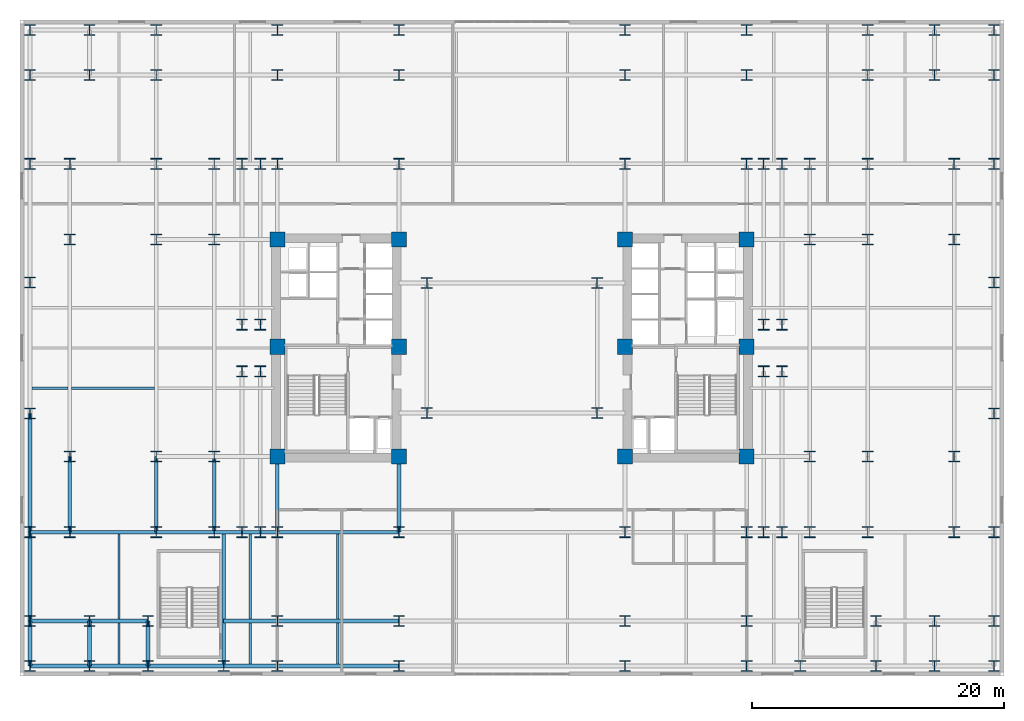
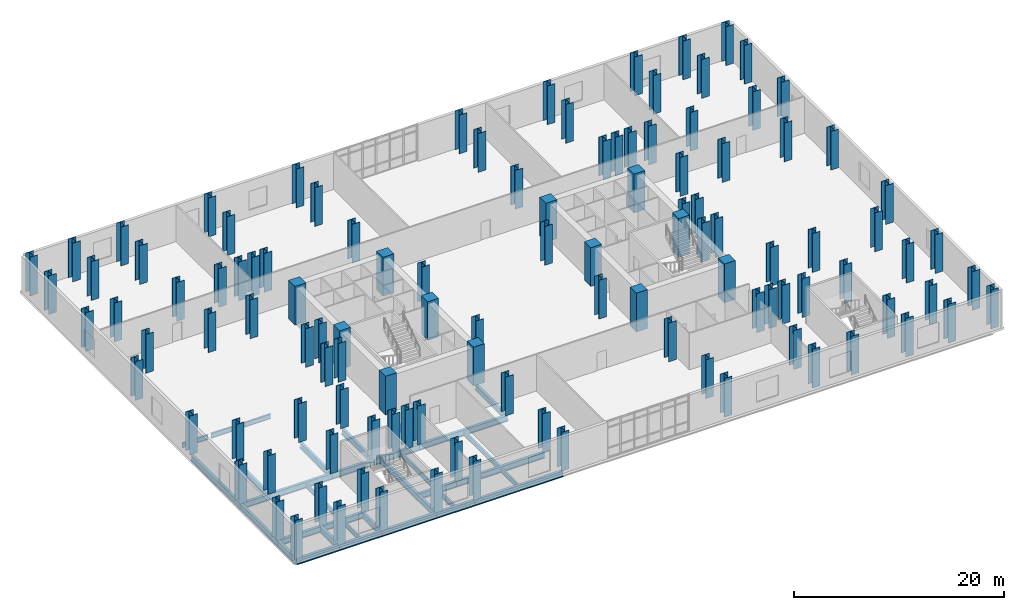
# One storey, part 1 of 13: 114 columns, 33 beams.
"""IFC4 building model written with IfcOpenShell, lengths in metres."""

from ifc_helpers import new_model, si_unit, direction, frame, origin, origin_2d, place, context, subcontext, project, spatial, rectangle, i_section, extrude, material, material_profile, profile_set, type_object, element, save


model = new_model("IFC4")

# Units and contexts
model_context = context("Model", 3, precision=1e-05, world=origin(), true_north=direction((0.0, 1.0)))
body_context = subcontext(model_context, "Body", "Model", "MODEL_VIEW")
ifc_project = project(units=[si_unit("LENGTHUNIT", "METRE"), si_unit("AREAUNIT", "SQUARE_METRE"), si_unit("VOLUMEUNIT", "CUBIC_METRE"), si_unit("PLANEANGLEUNIT", "RADIAN"), si_unit("MASSUNIT", "GRAM", prefix="KILO")], contexts=[model_context])

# Site, building, storey
site_placement = place(None, origin())
site = spatial("IfcSite", under=ifc_project, at=site_placement, CompositionType="ELEMENT")
building_placement = place(site_placement, origin())
building = spatial("IfcBuilding", under=site, at=building_placement, Name="Velakula Bourse", CompositionType="ELEMENT")
storey_placement = place(building_placement, frame((0.0, 0.0, 9.60009765625)))
storey = spatial("IfcBuildingStorey", under=building, at=storey_placement, Name="L02", CompositionType="ELEMENT", Elevation=9.60009765625)

# Columns
ifc_material_1 = material(Name="Concrete M70 (fck 70 MPa)", Category="concrete")
ifc_material_profile_1 = material_profile(ifc_material_1, rectangle(XDim=1.199951171875, YDim=1.199951171875, at=origin_2d()), Name="Concrete M70 (fck 70 MPa)")
ifc_profile_set_1 = profile_set([ifc_material_profile_1], Name="Concrete M70 (fck 70 MPa)")
column_type_1 = type_object("IfcColumnType", Name="COL-RC-1200", PredefinedType="COLUMN", material=ifc_profile_set_1)
for number, where, z_axis, x_axis, name in (
    (1, (-8.949951171875, -8.60009765625, 0.0), (0.0, 0.0, 1.0), (1.0, 0.0, 0.0), "L02 Core Boundary Column 01"),
    (2, (-8.949951171875, 0.10009765625, 0.0), (0.0, 0.0, 1.0), (1.0, 0.0, 0.0), "L02 Core Boundary Column 02"),
    (3, (-8.949951171875, 8.60009765625, 0.0), (0.0, 0.0, 1.0), (1.0, 0.0, 0.0), "L02 Core Boundary Column 03"),
    (4, (-18.60009765625, -8.60009765625, 0.0), (0.0, 0.0, 1.0), (1.0, 0.0, 0.0), "L02 Core Boundary Column 04"),
    (5, (-18.60009765625, 0.10009765625, 0.0), (0.0, 0.0, 1.0), (1.0, 0.0, 0.0), "L02 Core Boundary Column 05"),
    (6, (-18.60009765625, 8.60009765625, 0.0), (0.0, 0.0, 1.0), (1.0, 0.0, 0.0), "L02 Core Boundary Column 06"),
    (7, (8.949951171875, -8.60009765625, 0.0), (0.0, 0.0, 1.0), (1.0, 0.0, 0.0), "L02 Core Boundary Column 07"),
    (8, (8.949951171875, 0.10009765625, 0.0), (0.0, 0.0, 1.0), (1.0, 0.0, 0.0), "L02 Core Boundary Column 08"),
    (9, (8.949951171875, 8.60009765625, 0.0), (0.0, 0.0, 1.0), (1.0, 0.0, 0.0), "L02 Core Boundary Column 09"),
    (10, (18.60009765625, -8.60009765625, 0.0), (0.0, 0.0, 1.0), (1.0, 0.0, 0.0), "L02 Core Boundary Column 10"),
    (11, (18.60009765625, 0.10009765625, 0.0), (0.0, 0.0, 1.0), (1.0, 0.0, 0.0), "L02 Core Boundary Column 11"),
    (12, (18.60009765625, 8.60009765625, 0.0), (0.0, 0.0, 1.0), (1.0, 0.0, 0.0), "L02 Core Boundary Column 12"),
):
    element("IfcColumn", number, at=place(storey_placement, frame(where, z_axis=z_axis, x_axis=x_axis)), inside=storey, type_object=column_type_1, Name=name, PredefinedType="COLUMN", context=body_context, shape_type="SweptSolid", body=[
        extrude(rectangle(XDim=1.199951171875, YDim=1.199951171875, at=origin_2d()), origin(), (0.0, 0.0, 1.0), 4.5),
    ])
ifc_material_2 = material(Name="Steel IS 2062 Grade 450 (E450)", Category="steel")
ifc_material_profile_2 = material_profile(ifc_material_2, i_section(OverallWidth=0.85009765625, OverallDepth=0.85009765625, WebThickness=0.031982421875, FlangeThickness=0.048095703125, at=origin_2d()), Name="Steel IS 2062 Grade 450 (E450)")
ifc_profile_set_2 = profile_set([ifc_material_profile_2], Name="Steel IS 2062 Grade 450 (E450)")
column_type_2 = type_object("IfcColumnType", Name="COL-STL-850", PredefinedType="COLUMN", material=ifc_profile_set_2)
for number, where, z_axis, x_axis, name in (
    (13, (-6.75, -5.14990234375, 0.0), (0.0, 0.0, 1.0), (1.0, 0.0, 0.0), "L02 Central Spine Column 01"),
    (14, (-6.75, 5.14990234375, 0.0), (0.0, 0.0, 1.0), (1.0, 0.0, 0.0), "L02 Central Spine Column 02"),
    (15, (6.75, -5.14990234375, 0.0), (0.0, 0.0, 1.0), (1.0, 0.0, 0.0), "L02 Central Spine Column 03"),
    (16, (6.75, 5.14990234375, 0.0), (0.0, 0.0, 1.0), (1.0, 0.0, 0.0), "L02 Central Spine Column 04"),
    (17, (-21.39990234375, -14.60009765625, 0.0), (0.0, 0.0, 1.0), (1.0, 0.0, 0.0), "L02 Tower Fulcrum Column 01"),
    (18, (-21.39990234375, 14.60009765625, 0.0), (0.0, 0.0, 1.0), (1.0, 0.0, 0.0), "L02 Tower Fulcrum Column 02"),
    (19, (-19.949951171875, -14.60009765625, 0.0), (0.0, 0.0, 1.0), (1.0, 0.0, 0.0), "L02 Tower Fulcrum Column 03"),
    (20, (-19.949951171875, 14.60009765625, 0.0), (0.0, 0.0, 1.0), (1.0, 0.0, 0.0), "L02 Tower Fulcrum Column 04"),
    (21, (-18.60009765625, -14.60009765625, 0.0), (0.0, 0.0, 1.0), (1.0, 0.0, 0.0), "L02 Tower Fulcrum Column 05"),
    (22, (-18.60009765625, 14.60009765625, 0.0), (0.0, 0.0, 1.0), (1.0, 0.0, 0.0), "L02 Tower Fulcrum Column 06"),
    (23, (-8.949951171875, -14.60009765625, 0.0), (0.0, 0.0, 1.0), (1.0, 0.0, 0.0), "L02 Tower Fulcrum Column 07"),
    (24, (-8.949951171875, 14.60009765625, 0.0), (0.0, 0.0, 1.0), (1.0, 0.0, 0.0), "L02 Tower Fulcrum Column 08"),
    (25, (8.949951171875, -14.60009765625, 0.0), (0.0, 0.0, 1.0), (1.0, 0.0, 0.0), "L02 Tower Fulcrum Column 09"),
    (26, (8.949951171875, 14.60009765625, 0.0), (0.0, 0.0, 1.0), (1.0, 0.0, 0.0), "L02 Tower Fulcrum Column 10"),
    (27, (18.60009765625, -14.60009765625, 0.0), (0.0, 0.0, 1.0), (1.0, 0.0, 0.0), "L02 Tower Fulcrum Column 11"),
    (28, (18.60009765625, 14.60009765625, 0.0), (0.0, 0.0, 1.0), (1.0, 0.0, 0.0), "L02 Tower Fulcrum Column 12"),
    (29, (19.949951171875, -14.60009765625, 0.0), (0.0, 0.0, 1.0), (1.0, 0.0, 0.0), "L02 Tower Fulcrum Column 13"),
    (30, (19.949951171875, 14.60009765625, 0.0), (0.0, 0.0, 1.0), (1.0, 0.0, 0.0), "L02 Tower Fulcrum Column 14"),
    (31, (21.39990234375, -14.60009765625, 0.0), (0.0, 0.0, 1.0), (1.0, 0.0, 0.0), "L02 Tower Fulcrum Column 15"),
    (32, (21.39990234375, 14.60009765625, 0.0), (0.0, 0.0, 1.0), (1.0, 0.0, 0.0), "L02 Tower Fulcrum Column 16"),
    (33, (-21.39990234375, -1.85009765625, 0.0), (0.0, 0.0, 1.0), (1.0, 0.0, 0.0), "L02 Tower Fulcrum Column 17"),
    (34, (-21.39990234375, 1.85009765625, 0.0), (0.0, 0.0, 1.0), (1.0, 0.0, 0.0), "L02 Tower Fulcrum Column 18"),
    (35, (-19.949951171875, -1.85009765625, 0.0), (0.0, 0.0, 1.0), (1.0, 0.0, 0.0), "L02 Tower Fulcrum Column 19"),
    (36, (-19.949951171875, 1.85009765625, 0.0), (0.0, 0.0, 1.0), (1.0, 0.0, 0.0), "L02 Tower Fulcrum Column 20"),
    (37, (19.949951171875, -1.85009765625, 0.0), (0.0, 0.0, 1.0), (1.0, 0.0, 0.0), "L02 Tower Fulcrum Column 21"),
    (38, (19.949951171875, 1.85009765625, 0.0), (0.0, 0.0, 1.0), (1.0, 0.0, 0.0), "L02 Tower Fulcrum Column 22"),
    (39, (21.39990234375, -1.85009765625, 0.0), (0.0, 0.0, 1.0), (1.0, 0.0, 0.0), "L02 Tower Fulcrum Column 23"),
    (40, (21.39990234375, 1.85009765625, 0.0), (0.0, 0.0, 1.0), (1.0, 0.0, 0.0), "L02 Tower Fulcrum Column 24"),
    (41, (-23.60009765625, -14.60009765625, 0.0), (0.0, 0.0, 1.0), (1.0, 0.0, 0.0), "L02 Mid-Wing Plumb Column 01"),
    (42, (-23.60009765625, -8.60009765625, 0.0), (0.0, 0.0, 1.0), (1.0, 0.0, 0.0), "L02 Mid-Wing Plumb Column 02"),
    (43, (-23.60009765625, 8.60009765625, 0.0), (0.0, 0.0, 1.0), (1.0, 0.0, 0.0), "L02 Mid-Wing Plumb Column 03"),
    (44, (-23.60009765625, 14.60009765625, 0.0), (0.0, 0.0, 1.0), (1.0, 0.0, 0.0), "L02 Mid-Wing Plumb Column 04"),
    (45, (23.60009765625, -14.60009765625, 0.0), (0.0, 0.0, 1.0), (1.0, 0.0, 0.0), "L02 Mid-Wing Plumb Column 05"),
    (46, (23.60009765625, -8.60009765625, 0.0), (0.0, 0.0, 1.0), (1.0, 0.0, 0.0), "L02 Mid-Wing Plumb Column 06"),
    (47, (23.60009765625, 8.60009765625, 0.0), (0.0, 0.0, 1.0), (1.0, 0.0, 0.0), "L02 Mid-Wing Plumb Column 07"),
    (48, (23.60009765625, 14.60009765625, 0.0), (0.0, 0.0, 1.0), (1.0, 0.0, 0.0), "L02 Mid-Wing Plumb Column 08"),
    (49, (-28.199951171875, -14.60009765625, 0.0), (0.0, 0.0, 1.0), (1.0, 0.0, 0.0), "L02 Lower Wing Column 01"),
    (50, (-28.199951171875, -8.60009765625, 0.0), (0.0, 0.0, 1.0), (1.0, 0.0, 0.0), "L02 Lower Wing Column 02"),
    (51, (-28.199951171875, 8.60009765625, 0.0), (0.0, 0.0, 1.0), (1.0, 0.0, 0.0), "L02 Lower Wing Column 03"),
    (52, (-28.199951171875, 14.60009765625, 0.0), (0.0, 0.0, 1.0), (1.0, 0.0, 0.0), "L02 Lower Wing Column 04"),
    (53, (28.199951171875, -14.60009765625, 0.0), (0.0, 0.0, 1.0), (1.0, 0.0, 0.0), "L02 Lower Wing Column 05"),
    (54, (28.199951171875, -8.60009765625, 0.0), (0.0, 0.0, 1.0), (1.0, 0.0, 0.0), "L02 Lower Wing Column 06"),
    (55, (28.199951171875, 8.60009765625, 0.0), (0.0, 0.0, 1.0), (1.0, 0.0, 0.0), "L02 Lower Wing Column 07"),
    (56, (28.199951171875, 14.60009765625, 0.0), (0.0, 0.0, 1.0), (1.0, 0.0, 0.0), "L02 Lower Wing Column 08"),
    (57, (-35.050048828125, -14.60009765625, 0.0), (0.0, 0.0, 1.0), (1.0, 0.0, 0.0), "L02 Station Podium Grid Column 01"),
    (58, (-35.050048828125, -8.60009765625, 0.0), (0.0, 0.0, 1.0), (1.0, 0.0, 0.0), "L02 Station Podium Grid Column 02"),
    (59, (-35.050048828125, 8.60009765625, 0.0), (0.0, 0.0, 1.0), (1.0, 0.0, 0.0), "L02 Station Podium Grid Column 03"),
    (60, (-35.050048828125, 14.60009765625, 0.0), (0.0, 0.0, 1.0), (1.0, 0.0, 0.0), "L02 Station Podium Grid Column 04"),
    (61, (35.050048828125, -14.60009765625, 0.0), (0.0, 0.0, 1.0), (1.0, 0.0, 0.0), "L02 Station Podium Grid Column 05"),
    (62, (35.050048828125, -8.60009765625, 0.0), (0.0, 0.0, 1.0), (1.0, 0.0, 0.0), "L02 Station Podium Grid Column 06"),
    (63, (35.050048828125, 8.60009765625, 0.0), (0.0, 0.0, 1.0), (1.0, 0.0, 0.0), "L02 Station Podium Grid Column 07"),
    (64, (35.050048828125, 14.60009765625, 0.0), (0.0, 0.0, 1.0), (1.0, 0.0, 0.0), "L02 Station Podium Grid Column 08"),
    (65, (-38.199951171875, -21.64990234375, 0.0), (0.0, 0.0, 1.0), (1.0, 0.0, 0.0), "L02 Station Podium Grid Column 09"),
    (66, (-38.199951171875, 21.64990234375, 0.0), (0.0, 0.0, 1.0), (1.0, 0.0, 0.0), "L02 Station Podium Grid Column 10"),
    (67, (-33.5, -21.64990234375, 0.0), (0.0, 0.0, 1.0), (1.0, 0.0, 0.0), "L02 Station Podium Grid Column 11"),
    (68, (-33.5, 21.64990234375, 0.0), (0.0, 0.0, 1.0), (1.0, 0.0, 0.0), "L02 Station Podium Grid Column 12"),
    (69, (-28.85009765625, -21.64990234375, 0.0), (0.0, 0.0, 1.0), (1.0, 0.0, 0.0), "L02 Station Podium Grid Column 13"),
    (70, (-28.199951171875, 21.64990234375, 0.0), (0.0, 0.0, 1.0), (1.0, 0.0, 0.0), "L02 Station Podium Grid Column 14"),
    (71, (-18.60009765625, -21.64990234375, 0.0), (0.0, 0.0, 1.0), (1.0, 0.0, 0.0), "L02 Station Podium Grid Column 15"),
    (72, (-18.60009765625, 21.64990234375, 0.0), (0.0, 0.0, 1.0), (1.0, 0.0, 0.0), "L02 Station Podium Grid Column 16"),
    (73, (-8.949951171875, -21.64990234375, 0.0), (0.0, 0.0, 1.0), (1.0, 0.0, 0.0), "L02 Station Podium Grid Column 17"),
    (74, (-8.949951171875, 21.64990234375, 0.0), (0.0, 0.0, 1.0), (1.0, 0.0, 0.0), "L02 Station Podium Grid Column 18"),
    (75, (8.949951171875, -21.64990234375, 0.0), (0.0, 0.0, 1.0), (1.0, 0.0, 0.0), "L02 Station Podium Grid Column 19"),
    (76, (8.949951171875, 21.64990234375, 0.0), (0.0, 0.0, 1.0), (1.0, 0.0, 0.0), "L02 Station Podium Grid Column 20"),
    (77, (18.60009765625, -21.64990234375, 0.0), (0.0, 0.0, 1.0), (1.0, 0.0, 0.0), "L02 Station Podium Grid Column 21"),
    (78, (18.60009765625, 21.64990234375, 0.0), (0.0, 0.0, 1.0), (1.0, 0.0, 0.0), "L02 Station Podium Grid Column 22"),
    (79, (28.85009765625, -21.64990234375, 0.0), (0.0, 0.0, 1.0), (1.0, 0.0, 0.0), "L02 Station Podium Grid Column 23"),
    (80, (28.199951171875, 21.64990234375, 0.0), (0.0, 0.0, 1.0), (1.0, 0.0, 0.0), "L02 Station Podium Grid Column 24"),
    (81, (33.5, -21.64990234375, 0.0), (0.0, 0.0, 1.0), (1.0, 0.0, 0.0), "L02 Station Podium Grid Column 25"),
    (82, (33.5, 21.64990234375, 0.0), (0.0, 0.0, 1.0), (1.0, 0.0, 0.0), "L02 Station Podium Grid Column 26"),
    (83, (38.199951171875, -21.64990234375, 0.0), (0.0, 0.0, 1.0), (1.0, 0.0, 0.0), "L02 Station Podium Grid Column 27"),
    (84, (38.199951171875, 21.64990234375, 0.0), (0.0, 0.0, 1.0), (1.0, 0.0, 0.0), "L02 Station Podium Grid Column 28"),
    (85, (-38.199951171875, -25.199951171875, 0.0), (0.0, 0.0, 1.0), (1.0, 0.0, 0.0), "L02 Station Podium Grid Column 29"),
    (86, (-38.199951171875, 25.199951171875, 0.0), (0.0, 0.0, 1.0), (1.0, 0.0, 0.0), "L02 Station Podium Grid Column 30"),
    (87, (-33.5, -25.199951171875, 0.0), (0.0, 0.0, 1.0), (1.0, 0.0, 0.0), "L02 Station Podium Grid Column 31"),
    (88, (-33.5, 25.199951171875, 0.0), (0.0, 0.0, 1.0), (1.0, 0.0, 0.0), "L02 Station Podium Grid Column 32"),
    (89, (-28.85009765625, -25.199951171875, 0.0), (0.0, 0.0, 1.0), (1.0, 0.0, 0.0), "L02 Station Podium Grid Column 33"),
    (90, (-28.199951171875, 25.199951171875, 0.0), (0.0, 0.0, 1.0), (1.0, 0.0, 0.0), "L02 Station Podium Grid Column 34"),
    (91, (-22.85009765625, -25.199951171875, 0.0), (0.0, 0.0, 1.0), (1.0, 0.0, 0.0), "L02 Station Podium Grid Column 35"),
    (92, (22.85009765625, -25.199951171875, 0.0), (0.0, 0.0, 1.0), (1.0, 0.0, 0.0), "L02 Station Podium Grid Column 36"),
    (93, (-18.60009765625, -25.199951171875, 0.0), (0.0, 0.0, 1.0), (1.0, 0.0, 0.0), "L02 Station Podium Grid Column 39"),
    (94, (-18.60009765625, 25.199951171875, 0.0), (0.0, 0.0, 1.0), (1.0, 0.0, 0.0), "L02 Station Podium Grid Column 40"),
    (95, (-8.949951171875, -25.199951171875, 0.0), (0.0, 0.0, 1.0), (1.0, 0.0, 0.0), "L02 Station Podium Grid Column 41"),
    (96, (-8.949951171875, 25.199951171875, 0.0), (0.0, 0.0, 1.0), (1.0, 0.0, 0.0), "L02 Station Podium Grid Column 42"),
    (97, (8.949951171875, -25.199951171875, 0.0), (0.0, 0.0, 1.0), (1.0, 0.0, 0.0), "L02 Station Podium Grid Column 43"),
    (98, (8.949951171875, 25.199951171875, 0.0), (0.0, 0.0, 1.0), (1.0, 0.0, 0.0), "L02 Station Podium Grid Column 44"),
    (99, (18.60009765625, -25.199951171875, 0.0), (0.0, 0.0, 1.0), (1.0, 0.0, 0.0), "L02 Station Podium Grid Column 45"),
    (100, (18.60009765625, 25.199951171875, 0.0), (0.0, 0.0, 1.0), (1.0, 0.0, 0.0), "L02 Station Podium Grid Column 46"),
    (101, (28.85009765625, -25.199951171875, 0.0), (0.0, 0.0, 1.0), (1.0, 0.0, 0.0), "L02 Station Podium Grid Column 47"),
    (102, (28.199951171875, 25.199951171875, 0.0), (0.0, 0.0, 1.0), (1.0, 0.0, 0.0), "L02 Station Podium Grid Column 48"),
    (103, (33.5, -25.199951171875, 0.0), (0.0, 0.0, 1.0), (1.0, 0.0, 0.0), "L02 Station Podium Grid Column 49"),
    (104, (33.5, 25.199951171875, 0.0), (0.0, 0.0, 1.0), (1.0, 0.0, 0.0), "L02 Station Podium Grid Column 50"),
    (105, (38.199951171875, -25.199951171875, 0.0), (0.0, 0.0, 1.0), (1.0, 0.0, 0.0), "L02 Station Podium Grid Column 51"),
    (106, (38.199951171875, 25.199951171875, 0.0), (0.0, 0.0, 1.0), (1.0, 0.0, 0.0), "L02 Station Podium Grid Column 52"),
    (107, (-38.199951171875, -14.60009765625, 0.0), (0.0, 0.0, 1.0), (1.0, 0.0, 0.0), "L02 Station Podium Grid Column 53"),
    (108, (-38.199951171875, -5.199951171875, 0.0), (0.0, 0.0, 1.0), (1.0, 0.0, 0.0), "L02 Station Podium Grid Column 54"),
    (109, (-38.199951171875, 5.199951171875, 0.0), (0.0, 0.0, 1.0), (1.0, 0.0, 0.0), "L02 Station Podium Grid Column 55"),
    (110, (-38.199951171875, 14.60009765625, 0.0), (0.0, 0.0, 1.0), (1.0, 0.0, 0.0), "L02 Station Podium Grid Column 56"),
    (111, (38.199951171875, -14.60009765625, 0.0), (0.0, 0.0, 1.0), (1.0, 0.0, 0.0), "L02 Station Podium Grid Column 57"),
    (112, (38.199951171875, -5.199951171875, 0.0), (0.0, 0.0, 1.0), (1.0, 0.0, 0.0), "L02 Station Podium Grid Column 58"),
    (113, (38.199951171875, 5.199951171875, 0.0), (0.0, 0.0, 1.0), (1.0, 0.0, 0.0), "L02 Station Podium Grid Column 59"),
    (114, (38.199951171875, 14.60009765625, 0.0), (0.0, 0.0, 1.0), (1.0, 0.0, 0.0), "L02 Station Podium Grid Column 60"),
):
    element("IfcColumn", number, at=place(storey_placement, frame(where, z_axis=z_axis, x_axis=x_axis)), inside=storey, type_object=column_type_2, Name=name, PredefinedType="COLUMN", context=body_context, shape_type="SweptSolid", body=[
        extrude(i_section(OverallWidth=0.85009765625, OverallDepth=0.85009765625, WebThickness=0.031982421875, FlangeThickness=0.048095703125, at=origin_2d()), origin(), (0.0, 0.0, 1.0), 4.5),
    ])

# Beams
ifc_material_3 = material(Name="Steel IS 2062 Grade 350 (E350)", Category="steel")
ifc_material_profile_3 = material_profile(ifc_material_3, i_section(OverallWidth=0.300048828125, OverallDepth=0.699951171875, WebThickness=0.01611328125, FlangeThickness=0.02490234375, at=origin_2d()), Name="Steel IS 2062 Grade 350 (E350)")
ifc_profile_set_3 = profile_set([ifc_material_profile_3], Name="Steel IS 2062 Grade 350 (E350)")
beam_type_1 = type_object("IfcBeamType", Name="BM-POD-700", PredefinedType="BEAM", material=ifc_profile_set_3)
for number, where, z_axis, x_axis, name in (
    (115, (-18.60009765625, -14.60009765625, -0.60009765625), (0.0, 1.0, 0.0), (-1.0, 0.0, 0.0), "L02 Fulcrum Grid Girder FLC-WS"),
    (116, (-8.949951171875, -14.60009765625, -0.60009765625), (0.0, 1.0, 0.0), (-1.0, 0.0, 0.0), "L02 Fulcrum Grid Girder FLC-WCS"),
):
    element("IfcBeam", number, at=place(storey_placement, frame(where, z_axis=z_axis, x_axis=x_axis)), inside=storey, type_object=beam_type_1, Name=name, PredefinedType="BEAM", context=body_context, shape_type="SweptSolid", body=[
        extrude(i_section(OverallWidth=0.300048828125, OverallDepth=0.699951171875, WebThickness=0.01611328125, FlangeThickness=0.02490234375, at=origin_2d()), origin(), (0.0, 0.0, 1.0), 6.0),
    ])
beam_1_placement = place(storey_placement, frame((-18.60009765625, -14.60009765625, -0.60009765625), z_axis=(1.0, 0.0, 0.0), x_axis=(0.0, 1.0, 0.0)))
element("IfcBeam", 117, at=beam_1_placement, inside=storey, type_object=beam_type_1, Name="L02 Fulcrum Grid Girder FLC-S1", PredefinedType="BEAM", context=body_context, shape_type="SweptSolid", body=[
    extrude(i_section(OverallWidth=0.300048828125, OverallDepth=0.699951171875, WebThickness=0.01611328125, FlangeThickness=0.02490234375, at=origin_2d()), origin(), (0.0, 0.0, 1.0), 9.650146484375),
])
beam_2_placement = place(storey_placement, frame((-23.60009765625, -14.60009765625, -0.60009765625), z_axis=(1.0, 0.0, 0.0), x_axis=(0.0, 1.0, 0.0)))
element("IfcBeam", 118, at=beam_2_placement, inside=storey, type_object=beam_type_1, Name="L02 Fulcrum Grid Girder MWG-WS1", PredefinedType="BEAM", context=body_context, shape_type="SweptSolid", body=[
    extrude(i_section(OverallWidth=0.300048828125, OverallDepth=0.699951171875, WebThickness=0.01611328125, FlangeThickness=0.02490234375, at=origin_2d()), origin(), (0.0, 0.0, 1.0), 5.0),
])
beam_3_placement = place(storey_placement, frame((-23.60009765625, -14.60009765625, -0.60009765625), z_axis=(0.0, 1.0, 0.0), x_axis=(-1.0, 0.0, 0.0)))
element("IfcBeam", 119, at=beam_3_placement, inside=storey, type_object=beam_type_1, Name="L02 Fulcrum Grid Girder MWG-WNS1", PredefinedType="BEAM", context=body_context, shape_type="SweptSolid", body=[
    extrude(i_section(OverallWidth=0.300048828125, OverallDepth=0.699951171875, WebThickness=0.01611328125, FlangeThickness=0.02490234375, at=origin_2d()), origin(), (0.0, 0.0, 1.0), 6.0),
])
beam_4_placement = place(storey_placement, frame((-28.199951171875, -14.60009765625, -0.60009765625), z_axis=(1.0, 0.0, 0.0), x_axis=(0.0, 1.0, 0.0)))
element("IfcBeam", 120, at=beam_4_placement, inside=storey, type_object=beam_type_1, Name="L02 Fulcrum Grid Girder WNG-WS1", PredefinedType="BEAM", context=body_context, shape_type="SweptSolid", body=[
    extrude(i_section(OverallWidth=0.300048828125, OverallDepth=0.699951171875, WebThickness=0.01611328125, FlangeThickness=0.02490234375, at=origin_2d()), origin(), (0.0, 0.0, 1.0), 4.599853515625),
])
beam_5_placement = place(storey_placement, frame((-28.199951171875, -14.60009765625, -0.60009765625), z_axis=(0.0, 1.0, 0.0), x_axis=(-1.0, 0.0, 0.0)))
element("IfcBeam", 121, at=beam_5_placement, inside=storey, type_object=beam_type_1, Name="L02 Fulcrum Grid Girder WNG-WNS1", PredefinedType="BEAM", context=body_context, shape_type="SweptSolid", body=[
    extrude(i_section(OverallWidth=0.300048828125, OverallDepth=0.699951171875, WebThickness=0.01611328125, FlangeThickness=0.02490234375, at=origin_2d()), origin(), (0.0, 0.0, 1.0), 6.0),
])
beam_6_placement = place(storey_placement, frame((-22.85009765625, -25.199951171875, -0.60009765625), z_axis=(0.0, 1.0, 0.0), x_axis=(-1.0, 0.0, 0.0)))
element("IfcBeam", 122, at=beam_6_placement, inside=storey, type_object=beam_type_1, Name="L02 Podium Stairwell Header Girder STW", PredefinedType="BEAM", context=body_context, shape_type="SweptSolid", body=[
    extrude(i_section(OverallWidth=0.300048828125, OverallDepth=0.699951171875, WebThickness=0.01611328125, FlangeThickness=0.02490234375, at=origin_2d()), origin(), (0.0, 0.0, 1.0), 10.599853515625),
])
beam_7_placement = place(storey_placement, frame((-38.199951171875, -25.199951171875, -0.60009765625), z_axis=(1.0, 0.0, 0.0), x_axis=(0.0, 1.0, 0.0)))
element("IfcBeam", 123, at=beam_7_placement, inside=storey, type_object=beam_type_1, Name="L02 Podium E-W Girder 01", PredefinedType="BEAM", context=body_context, shape_type="SweptSolid", body=[
    extrude(i_section(OverallWidth=0.300048828125, OverallDepth=0.699951171875, WebThickness=0.01611328125, FlangeThickness=0.02490234375, at=origin_2d()), origin(), (0.0, 0.0, 1.0), 4.699951171875),
])
beam_8_placement = place(storey_placement, frame((-33.5, -25.199951171875, -0.60009765625), z_axis=(1.0, 0.0, 0.0), x_axis=(0.0, 1.0, 0.0)))
element("IfcBeam", 124, at=beam_8_placement, inside=storey, type_object=beam_type_1, Name="L02 Podium E-W Girder 02", PredefinedType="BEAM", context=body_context, shape_type="SweptSolid", body=[
    extrude(i_section(OverallWidth=0.300048828125, OverallDepth=0.699951171875, WebThickness=0.01611328125, FlangeThickness=0.02490234375, at=origin_2d()), origin(), (0.0, 0.0, 1.0), 4.64990234375),
])
beam_9_placement = place(storey_placement, frame((-28.85009765625, -25.199951171875, -0.60009765625), z_axis=(1.0, 0.0, 0.0), x_axis=(0.0, 1.0, 0.0)))
element("IfcBeam", 125, at=beam_9_placement, inside=storey, type_object=beam_type_1, Name="L02 Podium E-W Girder 03", PredefinedType="BEAM", context=body_context, shape_type="SweptSolid", body=[
    extrude(i_section(OverallWidth=0.300048828125, OverallDepth=0.699951171875, WebThickness=0.01611328125, FlangeThickness=0.02490234375, at=origin_2d()), origin(), (0.0, 0.0, 1.0), 6.0),
])
beam_10_placement = place(storey_placement, frame((-22.85009765625, -25.199951171875, -0.60009765625), z_axis=(1.0, 0.0, 0.0), x_axis=(0.0, 1.0, 0.0)))
element("IfcBeam", 126, at=beam_10_placement, inside=storey, type_object=beam_type_1, Name="L02 Podium E-W Girder 04", PredefinedType="BEAM", context=body_context, shape_type="SweptSolid", body=[
    extrude(i_section(OverallWidth=0.300048828125, OverallDepth=0.699951171875, WebThickness=0.01611328125, FlangeThickness=0.02490234375, at=origin_2d()), origin(), (0.0, 0.0, 1.0), 4.25),
])
beam_11_placement = place(storey_placement, frame((-18.60009765625, -25.199951171875, -0.60009765625), z_axis=(1.0, 0.0, 0.0), x_axis=(0.0, 1.0, 0.0)))
element("IfcBeam", 127, at=beam_11_placement, inside=storey, type_object=beam_type_1, Name="L02 Podium E-W Girder 05", PredefinedType="BEAM", context=body_context, shape_type="SweptSolid", body=[
    extrude(i_section(OverallWidth=0.300048828125, OverallDepth=0.699951171875, WebThickness=0.01611328125, FlangeThickness=0.02490234375, at=origin_2d()), origin(), (0.0, 0.0, 1.0), 9.650146484375),
])
beam_12_placement = place(storey_placement, frame((-38.199951171875, -21.64990234375, -0.60009765625), z_axis=(1.0, 0.0, 0.0), x_axis=(0.0, 1.0, 0.0)))
element("IfcBeam", 128, at=beam_12_placement, inside=storey, type_object=beam_type_1, Name="L02 Podium E-W Girder 12", PredefinedType="BEAM", context=body_context, shape_type="SweptSolid", body=[
    extrude(i_section(OverallWidth=0.300048828125, OverallDepth=0.699951171875, WebThickness=0.01611328125, FlangeThickness=0.02490234375, at=origin_2d()), origin(), (0.0, 0.0, 1.0), 4.699951171875),
])
beam_13_placement = place(storey_placement, frame((-33.5, -21.64990234375, -0.60009765625), z_axis=(1.0, 0.0, 0.0), x_axis=(0.0, 1.0, 0.0)))
element("IfcBeam", 129, at=beam_13_placement, inside=storey, type_object=beam_type_1, Name="L02 Podium E-W Girder 13", PredefinedType="BEAM", context=body_context, shape_type="SweptSolid", body=[
    extrude(i_section(OverallWidth=0.300048828125, OverallDepth=0.699951171875, WebThickness=0.01611328125, FlangeThickness=0.02490234375, at=origin_2d()), origin(), (0.0, 0.0, 1.0), 4.64990234375),
])
beam_14_placement = place(storey_placement, frame((-22.85009765625, -21.64990234375, -0.60009765625), z_axis=(1.0, 0.0, 0.0), x_axis=(0.0, 1.0, 0.0)))
element("IfcBeam", 130, at=beam_14_placement, inside=storey, type_object=beam_type_1, Name="L02 Podium E-W Girder 14", PredefinedType="BEAM", context=body_context, shape_type="SweptSolid", body=[
    extrude(i_section(OverallWidth=0.300048828125, OverallDepth=0.699951171875, WebThickness=0.01611328125, FlangeThickness=0.02490234375, at=origin_2d()), origin(), (0.0, 0.0, 1.0), 4.25),
])
beam_15_placement = place(storey_placement, frame((-18.60009765625, -21.64990234375, -0.60009765625), z_axis=(1.0, 0.0, 0.0), x_axis=(0.0, 1.0, 0.0)))
element("IfcBeam", 131, at=beam_15_placement, inside=storey, type_object=beam_type_1, Name="L02 Podium E-W Girder 15", PredefinedType="BEAM", context=body_context, shape_type="SweptSolid", body=[
    extrude(i_section(OverallWidth=0.300048828125, OverallDepth=0.699951171875, WebThickness=0.01611328125, FlangeThickness=0.02490234375, at=origin_2d()), origin(), (0.0, 0.0, 1.0), 9.650146484375),
])
beam_16_placement = place(storey_placement, frame((-38.199951171875, -14.60009765625, -0.60009765625), z_axis=(1.0, 0.0, 0.0), x_axis=(0.0, 1.0, 0.0)))
element("IfcBeam", 132, at=beam_16_placement, inside=storey, type_object=beam_type_1, Name="L02 Podium E-W Girder 21", PredefinedType="BEAM", context=body_context, shape_type="SweptSolid", body=[
    extrude(i_section(OverallWidth=0.300048828125, OverallDepth=0.699951171875, WebThickness=0.01611328125, FlangeThickness=0.02490234375, at=origin_2d()), origin(), (0.0, 0.0, 1.0), 3.14990234375),
])
beam_17_placement = place(storey_placement, frame((-35.050048828125, -14.60009765625, -0.60009765625), z_axis=(1.0, 0.0, 0.0), x_axis=(0.0, 1.0, 0.0)))
element("IfcBeam", 133, at=beam_17_placement, inside=storey, type_object=beam_type_1, Name="L02 Podium E-W Girder 22", PredefinedType="BEAM", context=body_context, shape_type="SweptSolid", body=[
    extrude(i_section(OverallWidth=0.300048828125, OverallDepth=0.699951171875, WebThickness=0.01611328125, FlangeThickness=0.02490234375, at=origin_2d()), origin(), (0.0, 0.0, 1.0), 6.85009765625),
])
beam_18_placement = place(storey_placement, frame((-38.199951171875, -25.199951171875, -0.60009765625), z_axis=(0.0, 1.0, 0.0), x_axis=(-1.0, 0.0, 0.0)))
element("IfcBeam", 134, at=beam_18_placement, inside=storey, type_object=beam_type_1, Name="L02 Podium N-S Girder 65", PredefinedType="BEAM", context=body_context, shape_type="SweptSolid", body=[
    extrude(i_section(OverallWidth=0.300048828125, OverallDepth=0.699951171875, WebThickness=0.01611328125, FlangeThickness=0.02490234375, at=origin_2d()), origin(), (0.0, 0.0, 1.0), 3.550048828125),
])
beam_19_placement = place(storey_placement, frame((-38.199951171875, -21.64990234375, -0.60009765625), z_axis=(0.0, 1.0, 0.0), x_axis=(-1.0, 0.0, 0.0)))
element("IfcBeam", 135, at=beam_19_placement, inside=storey, type_object=beam_type_1, Name="L02 Podium N-S Girder 66", PredefinedType="BEAM", context=body_context, shape_type="SweptSolid", body=[
    extrude(i_section(OverallWidth=0.300048828125, OverallDepth=0.699951171875, WebThickness=0.01611328125, FlangeThickness=0.02490234375, at=origin_2d()), origin(), (0.0, 0.0, 1.0), 7.0498046875),
])
beam_20_placement = place(storey_placement, frame((-38.199951171875, -14.60009765625, -0.60009765625), z_axis=(0.0, 1.0, 0.0), x_axis=(-1.0, 0.0, 0.0)))
element("IfcBeam", 136, at=beam_20_placement, inside=storey, type_object=beam_type_1, Name="L02 Podium N-S Girder 67", PredefinedType="BEAM", context=body_context, shape_type="SweptSolid", body=[
    extrude(i_section(OverallWidth=0.300048828125, OverallDepth=0.699951171875, WebThickness=0.01611328125, FlangeThickness=0.02490234375, at=origin_2d()), origin(), (0.0, 0.0, 1.0), 9.400146484375),
])
beam_21_placement = place(storey_placement, frame((-35.050048828125, -14.60009765625, -0.60009765625), z_axis=(0.0, 1.0, 0.0), x_axis=(-1.0, 0.0, 0.0)))
element("IfcBeam", 137, at=beam_21_placement, inside=storey, type_object=beam_type_1, Name="L02 Podium N-S Girder 72", PredefinedType="BEAM", context=body_context, shape_type="SweptSolid", body=[
    extrude(i_section(OverallWidth=0.300048828125, OverallDepth=0.699951171875, WebThickness=0.01611328125, FlangeThickness=0.02490234375, at=origin_2d()), origin(), (0.0, 0.0, 1.0), 6.0),
])
for number, where, z_axis, x_axis, name in (
    (138, (-33.5, -25.199951171875, -0.60009765625), (0.0, 1.0, 0.0), (-1.0, 0.0, 0.0), "L02 Podium N-S Girder 75"),
    (139, (-28.85009765625, -25.199951171875, -0.60009765625), (0.0, 1.0, 0.0), (-1.0, 0.0, 0.0), "L02 Podium N-S Girder 76"),
):
    element("IfcBeam", number, at=place(storey_placement, frame(where, z_axis=z_axis, x_axis=x_axis)), inside=storey, type_object=beam_type_1, Name=name, PredefinedType="BEAM", context=body_context, shape_type="SweptSolid", body=[
        extrude(i_section(OverallWidth=0.300048828125, OverallDepth=0.699951171875, WebThickness=0.01611328125, FlangeThickness=0.02490234375, at=origin_2d()), origin(), (0.0, 0.0, 1.0), 3.550048828125),
    ])
ifc_material_profile_4 = material_profile(ifc_material_3, i_section(OverallWidth=0.18994140625, OverallDepth=0.550048828125, WebThickness=0.01123046875, FlangeThickness=0.019287109375, at=origin_2d()), Name="Steel IS 2062 Grade 350 (E350)")
ifc_profile_set_4 = profile_set([ifc_material_profile_4], Name="Steel IS 2062 Grade 350 (E350)")
beam_type_2 = type_object("IfcBeamType", Name="JST-POD-550", PredefinedType="JOIST", material=ifc_profile_set_4)
beam_22_placement = place(storey_placement, frame((-31.14990234375, -25.050048828125, -0.525146484375), z_axis=(0.0, 1.0, 0.0), x_axis=(-1.0, 0.0, 0.0)))
element("IfcBeam", 140, at=beam_22_placement, inside=storey, type_object=beam_type_2, Name="L02 Station Podium Floor Joist 01", PredefinedType="JOIST", context=body_context, shape_type="SweptSolid", body=[
    extrude(i_section(OverallWidth=0.18994140625, OverallDepth=0.550048828125, WebThickness=0.01123046875, FlangeThickness=0.019287109375, at=origin_2d()), origin(), (0.0, 0.0, 1.0), 3.25),
])
beam_23_placement = place(storey_placement, frame((-31.14990234375, -21.5, -0.525146484375), z_axis=(0.0, 1.0, 0.0), x_axis=(-1.0, 0.0, 0.0)))
element("IfcBeam", 141, at=beam_23_placement, inside=storey, type_object=beam_type_2, Name="L02 Station Podium Floor Joist 02", PredefinedType="JOIST", context=body_context, shape_type="SweptSolid", body=[
    extrude(i_section(OverallWidth=0.18994140625, OverallDepth=0.550048828125, WebThickness=0.01123046875, FlangeThickness=0.019287109375, at=origin_2d()), origin(), (0.0, 0.0, 1.0), 6.75),
])
beam_24_placement = place(storey_placement, frame((-20.75, -25.050048828125, -0.525146484375), z_axis=(0.0, 1.0, 0.0), x_axis=(-1.0, 0.0, 0.0)))
element("IfcBeam", 142, at=beam_24_placement, inside=storey, type_object=beam_type_2, Name="L02 Station Podium Floor Joist 05", PredefinedType="JOIST", context=body_context, shape_type="SweptSolid", body=[
    extrude(i_section(OverallWidth=0.18994140625, OverallDepth=0.550048828125, WebThickness=0.01123046875, FlangeThickness=0.019287109375, at=origin_2d()), origin(), (0.0, 0.0, 1.0), 3.25),
])
beam_25_placement = place(storey_placement, frame((-20.75, -21.5, -0.525146484375), z_axis=(0.0, 1.0, 0.0), x_axis=(-1.0, 0.0, 0.0)))
element("IfcBeam", 143, at=beam_25_placement, inside=storey, type_object=beam_type_2, Name="L02 Station Podium Floor Joist 06", PredefinedType="JOIST", context=body_context, shape_type="SweptSolid", body=[
    extrude(i_section(OverallWidth=0.18994140625, OverallDepth=0.550048828125, WebThickness=0.01123046875, FlangeThickness=0.019287109375, at=origin_2d()), origin(), (0.0, 0.0, 1.0), 6.75),
])
beam_26_placement = place(storey_placement, frame((-13.800048828125, -25.050048828125, -0.525146484375), z_axis=(0.0, 1.0, 0.0), x_axis=(-1.0, 0.0, 0.0)))
element("IfcBeam", 144, at=beam_26_placement, inside=storey, type_object=beam_type_2, Name="L02 Station Podium Floor Joist 09", PredefinedType="JOIST", context=body_context, shape_type="SweptSolid", body=[
    extrude(i_section(OverallWidth=0.18994140625, OverallDepth=0.550048828125, WebThickness=0.01123046875, FlangeThickness=0.019287109375, at=origin_2d()), origin(), (0.0, 0.0, 1.0), 3.25),
])
beam_27_placement = place(storey_placement, frame((-13.800048828125, -21.5, -0.525146484375), z_axis=(0.0, 1.0, 0.0), x_axis=(-1.0, 0.0, 0.0)))
element("IfcBeam", 145, at=beam_27_placement, inside=storey, type_object=beam_type_2, Name="L02 Station Podium Floor Joist 10", PredefinedType="JOIST", context=body_context, shape_type="SweptSolid", body=[
    extrude(i_section(OverallWidth=0.18994140625, OverallDepth=0.550048828125, WebThickness=0.01123046875, FlangeThickness=0.019287109375, at=origin_2d()), origin(), (0.0, 0.0, 1.0), 6.75),
])
beam_28_placement = place(storey_placement, frame((-38.050048828125, -3.199951171875, -0.525146484375), z_axis=(1.0, 0.0, 0.0), x_axis=(0.0, 1.0, 0.0)))
element("IfcBeam", 146, at=beam_28_placement, inside=storey, type_object=beam_type_2, Name="L02 Station Wing Floor Joist 33", PredefinedType="JOIST", context=body_context, shape_type="SweptSolid", body=[
    extrude(i_section(OverallWidth=0.18994140625, OverallDepth=0.550048828125, WebThickness=0.01123046875, FlangeThickness=0.019287109375, at=origin_2d()), origin(), (0.0, 0.0, 1.0), 2.85009765625),
])
beam_29_placement = place(storey_placement, frame((-34.89990234375, -3.199951171875, -0.525146484375), z_axis=(1.0, 0.0, 0.0), x_axis=(0.0, 1.0, 0.0)))
element("IfcBeam", 147, at=beam_29_placement, inside=storey, type_object=beam_type_2, Name="L02 Station Wing Floor Joist 34", PredefinedType="JOIST", context=body_context, shape_type="SweptSolid", body=[
    extrude(i_section(OverallWidth=0.18994140625, OverallDepth=0.550048828125, WebThickness=0.01123046875, FlangeThickness=0.019287109375, at=origin_2d()), origin(), (0.0, 0.0, 1.0), 6.5498046875),
])

save(model, "model.ifc")
